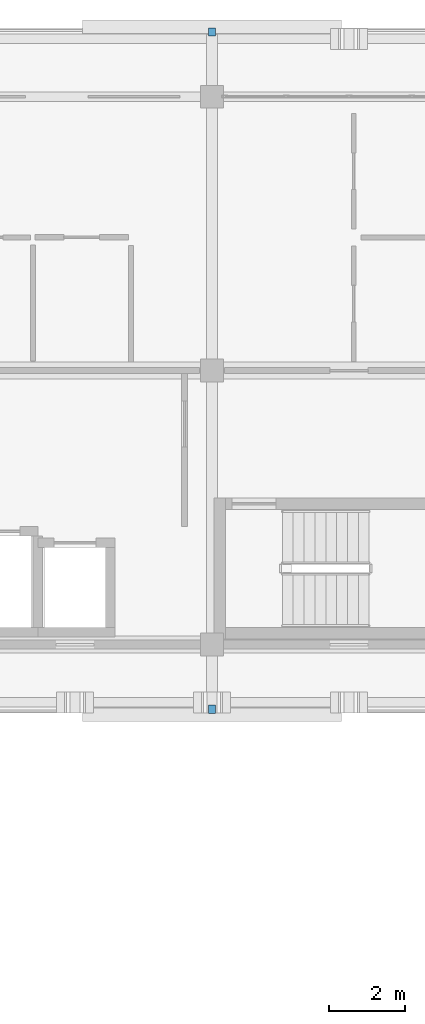
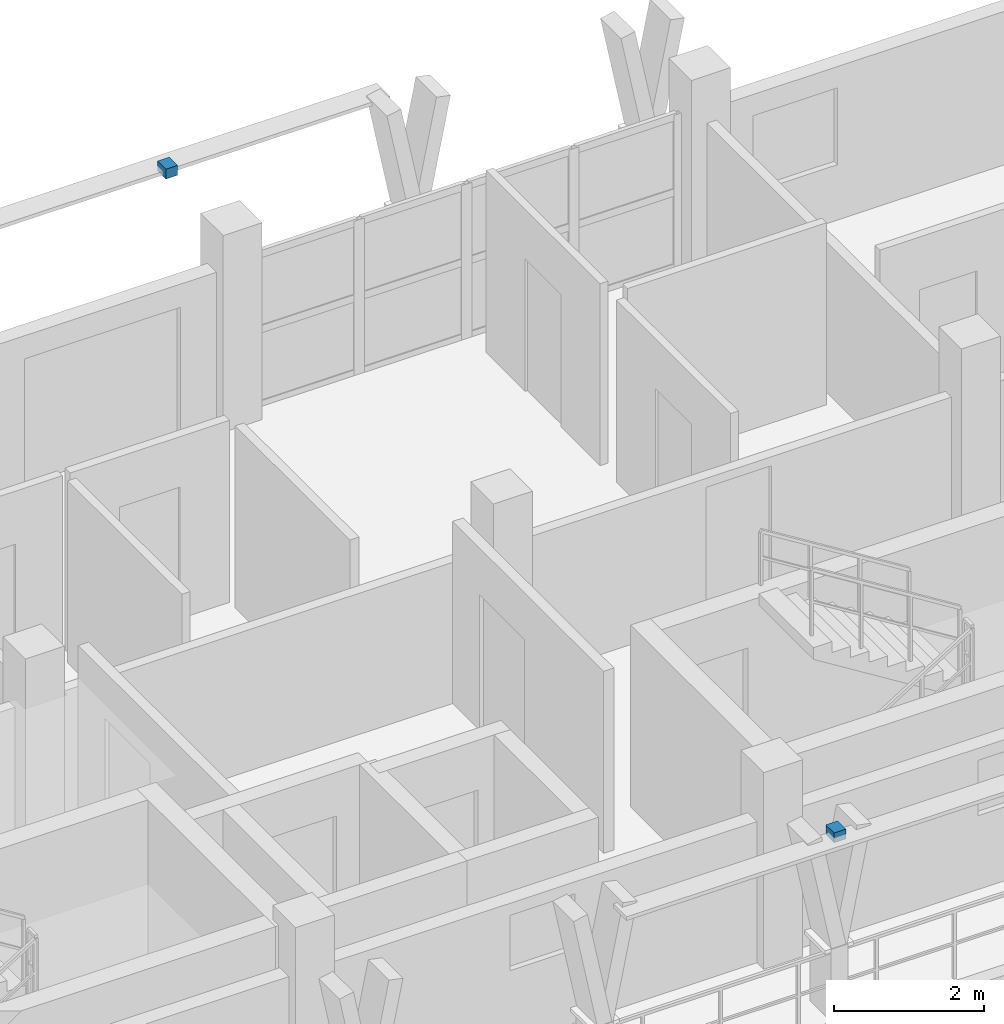
# One storey, part 45 of 56: 2 discrete accessories.
"""IFC4 building model written with IfcOpenShell, lengths in metres."""

import ifcopenshell
import ifcopenshell.guid

model = None  # the IFC model being written
_history = None  # IfcOwnerHistory: only IFC2X3 demands one
_inside = {}  # id of a spatial element -> (the spatial element, [elements in it])
_under = {}  # id of a project, library or spatial element -> (it, [spatial elements below it])
_declared = {}  # id of a project -> (the project, [libraries it declares])
_typed = {}  # id of a type object -> (the type object, [elements of that type])
_made_of = {}  # id of a material, layer set ... -> (it, [elements and type objects made of it])


def new_model(schema):
    """Start an empty IFC model of exactly this schema.

    Asked for "IFC4X3", IfcOpenShell would pick the latest addendum, in which some entities
    have other attributes; the version numbers below select the first issue.
    IFC2X3 requires an IfcOwnerHistory on every rooted entity: one is made here for all.
    """
    global model, _history
    if schema == "IFC4X3":
        model = ifcopenshell.file(schema_version=(4, 3, 0, 0))
    else:
        model = ifcopenshell.file(schema=schema)
    _inside.clear()
    _under.clear()
    _declared.clear()
    _typed.clear()
    _made_of.clear()
    _history = None
    if model.schema == "IFC2X3":
        org = make("IfcOrganization", Name="unknown")
        user = make(
            "IfcPersonAndOrganization",
            ThePerson=make("IfcPerson", FamilyName="unknown"),
            TheOrganization=org,
        )
        app = make(
            "IfcApplication",
            ApplicationDeveloper=org,
            Version="unknown",
            ApplicationFullName="unknown",
            ApplicationIdentifier="unknown",
        )
        _history = make(
            "IfcOwnerHistory",
            OwningUser=user,
            OwningApplication=app,
            ChangeAction="ADDED",
            CreationDate=0,
        )
    return model


def make(cls, **values):
    """One entity of the class cls with the attributes given. An attribute that is None is left unset."""
    return model.create_entity(
        cls, **{name: value for name, value in values.items() if value is not None}
    )


def rooted(cls, **values):
    """An entity with a GlobalId (a new one), such as an element, a storey or a relation."""
    return make(cls, GlobalId=ifcopenshell.guid.new(), OwnerHistory=_history, **values)


def si_unit(unit_type, name, prefix=None):
    """IfcSIUnit, for example si_unit("LENGTHUNIT", "METRE", prefix="MILLI")."""
    return make("IfcSIUnit", UnitType=unit_type, Prefix=prefix, Name=name)


def assignment(units):
    """IfcUnitAssignment: the units of a project."""
    return None if units is None else make("IfcUnitAssignment", Units=units)


def point(xyz):
    """IfcCartesianPoint."""
    return None if xyz is None else make("IfcCartesianPoint", Coordinates=xyz)


def direction(xyz):
    """IfcDirection."""
    return None if xyz is None else make("IfcDirection", DirectionRatios=xyz)


def frame(location, z_axis=None, x_axis=None):
    """IfcAxis2Placement3D, a coordinate frame: its origin and axes. An axis left out is left unset."""
    return make(
        "IfcAxis2Placement3D",
        Location=point(location),
        Axis=direction(z_axis),
        RefDirection=direction(x_axis),
    )


def frame_2d(location, x_axis=None):
    """IfcAxis2Placement2D, a coordinate frame in the plane: its origin and x axis."""
    return make(
        "IfcAxis2Placement2D", Location=point(location), RefDirection=direction(x_axis)
    )


def origin():
    """The frame at (0, 0, 0) with its axes left unset."""
    return frame((0.0, 0.0, 0.0))


def origin_2d():
    """The frame at (0, 0) in the plane with its x axis left unset."""
    return frame_2d((0.0, 0.0))


def place(relative_to, where):
    """IfcLocalPlacement: puts the frame where relative to a parent placement (None: the world)."""
    return make(
        "IfcLocalPlacement", PlacementRelTo=relative_to, RelativePlacement=where
    )


def context(
    kind, dimensions, precision=None, world=None, true_north=None, identifier=None
):
    """IfcGeometricRepresentationContext, for example the 3D "Model" context."""
    return make(
        "IfcGeometricRepresentationContext",
        ContextIdentifier=identifier,
        ContextType=kind,
        CoordinateSpaceDimension=dimensions,
        Precision=precision,
        WorldCoordinateSystem=world,
        TrueNorth=true_north,
    )


def subcontext(parent, identifier, kind, view, scale=None):
    """IfcGeometricRepresentationSubContext, for example "Body" below "Model"."""
    return make(
        "IfcGeometricRepresentationSubContext",
        ContextIdentifier=identifier,
        ContextType=kind,
        ParentContext=parent,
        TargetScale=scale,
        TargetView=view,
    )


def project(units=None, contexts=None):
    """IfcProject with its units and contexts."""
    return rooted(
        "IfcProject",
        Name="project",
        RepresentationContexts=contexts,
        UnitsInContext=assignment(units),
    )


def spatial(cls, under=None, at=None, **own):
    """A site, building, storey or space (cls), placed at a placement, below another one or the project."""
    s = rooted(cls, ObjectPlacement=at, **own)
    if under is not None:
        _under.setdefault(under.id(), (under, []))[1].append(s)
    return s


def profile(cls, at=None, kind="AREA", **sizes):
    """A parametric profile (cls). Its sizes go by their IFC names, for example OverallWidth=200.0."""
    return make(cls, ProfileType=kind, Position=at, **sizes)


def rectangle(**sizes):
    """IfcRectangleProfileDef."""
    return profile("IfcRectangleProfileDef", **sizes)


def extrude(swept, where, along, depth):
    """IfcExtrudedAreaSolid: the profile swept, set in the frame where, extruded along a direction by depth."""
    return make(
        "IfcExtrudedAreaSolid",
        SweptArea=swept,
        Position=where,
        ExtrudedDirection=direction(along),
        Depth=depth,
    )


def shape(context_of_items, identifier, shape_type, items):
    """IfcShapeRepresentation: the items that make up one representation, for example the "Body"."""
    return make(
        "IfcShapeRepresentation",
        ContextOfItems=context_of_items,
        RepresentationIdentifier=identifier,
        RepresentationType=shape_type,
        Items=items,
    )


def material(Name=None, Category=None):
    """IfcMaterial."""
    return make("IfcMaterial", Name=Name, Category=Category)


def made_of(thing, what):
    """Note that an element or type object is made of a material, layer set ...; save() writes the relation."""
    if what is not None:
        _made_of.setdefault(what.id(), (what, []))[1].append(thing)
    return thing


def type_object(cls, material=None, **own):
    """A type object (cls), such as IfcWallType, which elements share."""
    return made_of(rooted(cls, **own), material)


def element(
    cls,
    number,
    at=None,
    inside=None,
    cuts=None,
    type_object=None,
    material=None,
    context=None,
    identifier="Body",
    shape_type=None,
    held_by="IfcProductDefinitionShape",
    body=None,
    shapes=None,
    **own,
):
    """One element of the class cls, such as IfcWall. Its Tag is "e" and its number.

    at: its placement. inside: the storey or other place that contains it. cuts: it is an
    opening in that element (IfcRelVoidsElement). A single representation is given by context,
    identifier, shape_type and body (its items); several are given by shapes. held_by: the class
    of the entity that holds the representations. save() writes the other relations.
    """
    e = rooted(cls, Tag="e%d" % number, ObjectPlacement=at, **own)
    if body is not None:
        shapes = [shape(context, identifier, shape_type, body)]
    if shapes is not None:
        e.Representation = make(held_by, Representations=shapes)
    if inside is not None:
        _inside.setdefault(inside.id(), (inside, []))[1].append(e)
    if cuts is not None:
        rooted(
            "IfcRelVoidsElement", RelatingBuildingElement=cuts, RelatedOpeningElement=e
        )
    if type_object is not None:
        _typed.setdefault(type_object.id(), (type_object, []))[1].append(e)
    return made_of(e, material)


def aggregate(whole, parts):
    """IfcRelAggregates: a whole, such as a stair, and the parts it consists of."""
    return rooted("IfcRelAggregates", RelatingObject=whole, RelatedObjects=parts)


def save(model, path):
    """Write the relations noted so far, then the file.

    IfcRelAggregates (storeys below a building ...), IfcRelContainedInSpatialStructure (elements
    in a storey), IfcRelDefinesByType, IfcRelAssociatesMaterial and IfcRelDeclares: one each for
    every whole, place, type object, material and project.
    """
    for whole, parts in _under.values():
        aggregate(whole, parts)
    for where, things in _inside.values():
        rooted(
            "IfcRelContainedInSpatialStructure",
            RelatedElements=things,
            RelatingStructure=where,
        )
    for kind, things in _typed.values():
        rooted("IfcRelDefinesByType", RelatedObjects=things, RelatingType=kind)
    for what, things in _made_of.values():
        rooted("IfcRelAssociatesMaterial", RelatedObjects=things, RelatingMaterial=what)
    for by, libraries in _declared.values():
        rooted("IfcRelDeclares", RelatingContext=by, RelatedDefinitions=libraries)
    model.write(path)


model = new_model("IFC4")

# Units and contexts
model_context = context("Model", 3, precision=1e-05, world=origin(), true_north=direction((0.0, 1.0)))
body_context = subcontext(model_context, "Body", "Model", "MODEL_VIEW")
ifc_project = project(units=[si_unit("LENGTHUNIT", "METRE"), si_unit("AREAUNIT", "SQUARE_METRE"), si_unit("VOLUMEUNIT", "CUBIC_METRE"), si_unit("PLANEANGLEUNIT", "RADIAN"), si_unit("MASSUNIT", "GRAM", prefix="KILO")], contexts=[model_context])

# Site, building, storey
site_placement = place(None, origin())
site = spatial("IfcSite", under=ifc_project, at=site_placement, CompositionType="ELEMENT")
building_placement = place(site_placement, origin())
building = spatial("IfcBuilding", under=site, at=building_placement, Name="Suanplinth Sawtooth Commons", CompositionType="ELEMENT")
storey_placement = place(building_placement, frame((0.0, 0.0, 34.800048828125)))
storey = spatial("IfcBuildingStorey", under=building, at=storey_placement, Name="L10", CompositionType="ELEMENT", Elevation=34.800048828125)

# Discrete accessories
ifc_material = material(Name="Stainless steel Grade 316", Category="steel")
discrete_accessory_type = type_object("IfcDiscreteAccessoryType", Name="ACC-01", PredefinedType="BRACKET", material=ifc_material)
for number, where, z_axis, x_axis, name in (
    (1, (57.60009765625, 124.10009765625, 2.89990234375), (0.0, 0.0, 1.0), (1.0, 0.0, 0.0), "Louvre Fixing Bracket L10-A-1"),
    (2, (57.60009765625, 106.300048828125, 2.89990234375), (0.0, 0.0, 1.0), (1.0, 0.0, 0.0), "Louvre Fixing Bracket L10-A-2"),
):
    element("IfcDiscreteAccessory", number, at=place(storey_placement, frame(where, z_axis=z_axis, x_axis=x_axis)), inside=storey, type_object=discrete_accessory_type, Name=name, PredefinedType="BRACKET", context=body_context, shape_type="SweptSolid", body=[
        extrude(rectangle(XDim=0.179931640625, YDim=0.219970703125, at=origin_2d()), origin(), (0.0, 0.0, 1.0), 0.159912109375),
    ])

save(model, "model.ifc")
